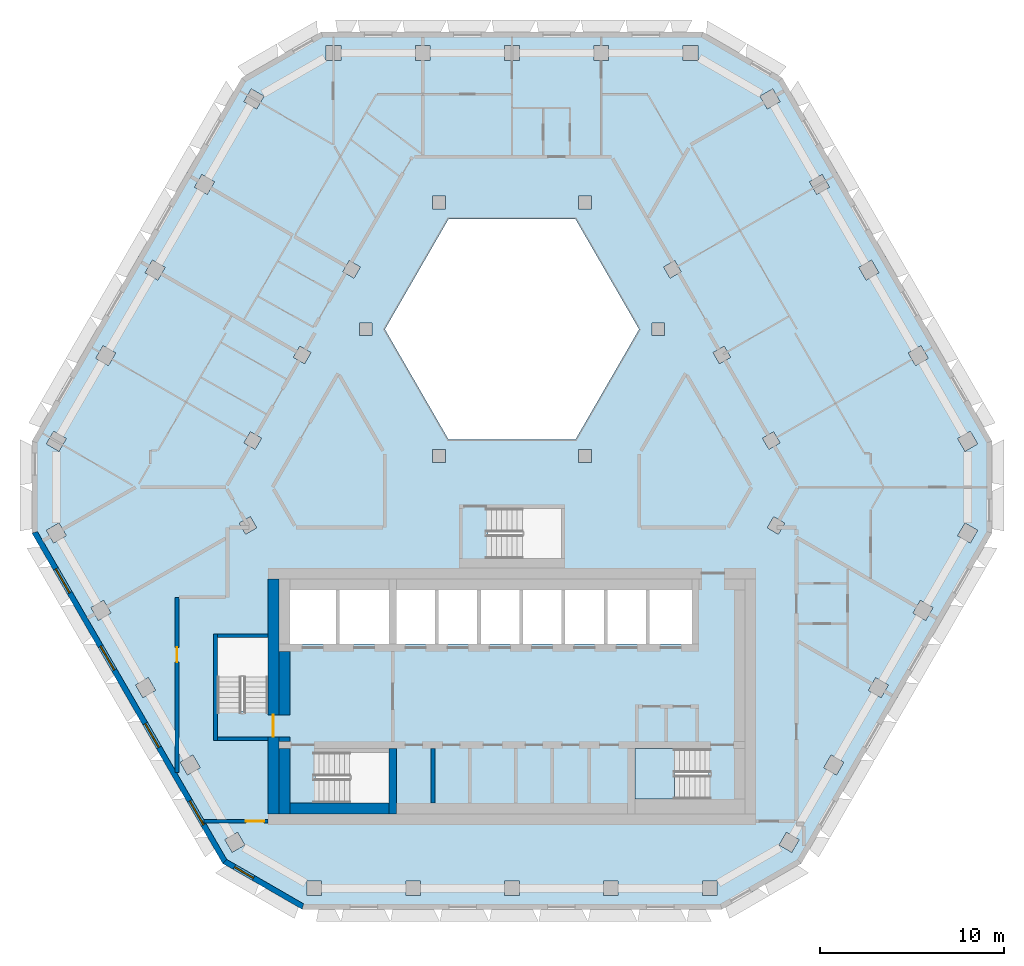
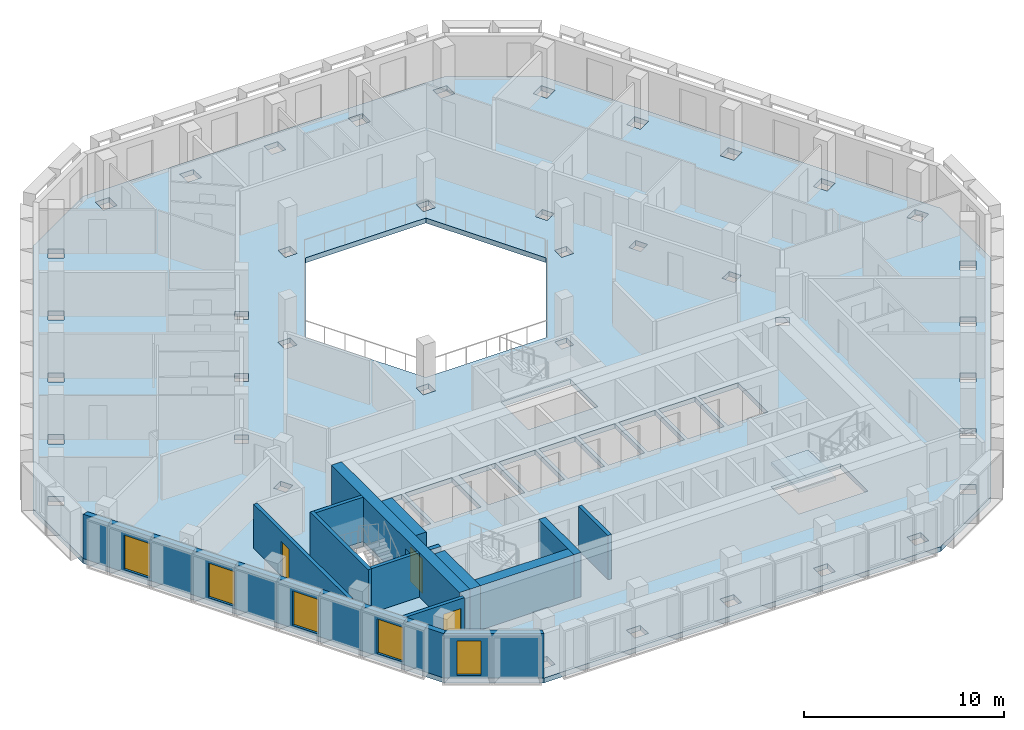
# One storey, part 2 of 15: 14 walls, 5 windows, 3 doors, 2 slabs, 8 openings, 1 element without a shape of its own.
"""IFC4 building model written with IfcOpenShell, lengths in metres."""

from ifc_helpers import new_model, si_unit, direction, frame, frame_2d, origin, place, context, subcontext, project, spatial, polyline, rectangle, outline, extrude, material, layer, layer_set, type_object, element, fill, aggregate, save


model = new_model("IFC4")

# Units and contexts
model_context = context("Model", 3, precision=1e-05, world=origin(), true_north=direction((0.0, 1.0)))
body_context = subcontext(model_context, "Body", "Model", "MODEL_VIEW")
ifc_project = project(units=[si_unit("LENGTHUNIT", "METRE"), si_unit("AREAUNIT", "SQUARE_METRE"), si_unit("VOLUMEUNIT", "CUBIC_METRE"), si_unit("PLANEANGLEUNIT", "RADIAN"), si_unit("MASSUNIT", "GRAM", prefix="KILO")], contexts=[model_context])

# Site, building, storey
site_placement = place(None, origin())
site = spatial("IfcSite", under=ifc_project, at=site_placement, CompositionType="ELEMENT")
building_placement = place(site_placement, origin())
building = spatial("IfcBuilding", under=site, at=building_placement, Name="Beryl Residences", CompositionType="ELEMENT")
storey_placement = place(building_placement, frame((0.0, 0.0, 169.199951171875)))
storey = spatial("IfcBuildingStorey", under=building, at=storey_placement, Name="L51", CompositionType="ELEMENT", Elevation=169.199951171875)

# Slab
ifc_material_1 = material(Name="Concrete C40/50", Category="concrete")
ifc_layer_1 = layer(ifc_material_1, 0.300048828125)
ifc_layer_set_1 = layer_set([ifc_layer_1], Name="SL7 PT floor slab 300 mm C40/50")
slab_type_1 = type_object("IfcSlabType", Name="SL7 PT floor slab 300 mm C40/50", PredefinedType="FLOOR", material=ifc_layer_set_1)
slab_1_placement = place(storey_placement, frame((0.0, 0.0, -0.300048828125)))
element("IfcSlab", 1, at=slab_1_placement, inside=storey, type_object=slab_type_1, Name="L51 slab 1", PredefinedType="FLOOR", context=body_context, shape_type="SweptSolid", body=[
    extrude(outline(polyline([(26.154052734375, -3.10009765625), (15.760986328125, -21.10009765625), (11.430908203125, -23.60009765625), (-11.430908203125, -23.60009765625), (-15.760986328125, -21.10009765625), (-26.154052734375, -3.10009765625), (-26.154052734375, 1.89990234375), (-14.721923828125, 21.699951171875), (-10.39208984375, 24.199951171875), (10.39208984375, 24.199951171875), (14.721923828125, 21.699951171875), (26.154052734375, 1.89990234375), (26.154052734375, -3.10009765625)]), holes=[polyline([(24.971923828125, 2.446044921875), (24.280029296875, 2.0458984375), (24.679931640625, 1.35400390625), (25.3720703125, 1.75390625), (24.971923828125, 2.446044921875)]), polyline([(24.678955078125, -2.554931640625), (24.279052734375, -3.2470703125), (24.970947265625, -3.64697265625), (25.37109375, -2.955078125), (24.678955078125, -2.554931640625)]), polyline([(22.2470703125, -6.76806640625), (21.846923828125, -7.4599609375), (22.5390625, -7.860107421875), (22.93896484375, -7.16796875), (22.2470703125, -6.76806640625)]), polyline([(22.280029296875, 7.10791015625), (21.587890625, 6.7080078125), (21.988037109375, 6.01611328125), (22.679931640625, 6.416015625), (22.280029296875, 7.10791015625)]), polyline([(19.4150390625, -11.672119140625), (20.10693359375, -12.072021484375), (20.507080078125, -11.3798828125), (19.81494140625, -10.97998046875), (19.4150390625, -11.672119140625)]), polyline([(18.89599609375, 11.37109375), (19.2958984375, 10.678955078125), (19.988037109375, 11.0791015625), (19.587890625, 11.77099609375), (18.89599609375, 11.37109375)]), polyline([(18.074951171875, -15.592041015625), (17.383056640625, -15.19189453125), (16.98291015625, -15.884033203125), (17.675048828125, -16.283935546875), (18.074951171875, -15.592041015625)]), polyline([(16.89599609375, 16.43408203125), (16.2041015625, 16.033935546875), (16.60400390625, 15.342041015625), (17.2958984375, 15.741943359375), (16.89599609375, 16.43408203125)]), polyline([(15.64306640625, -19.804931640625), (14.950927734375, -19.405029296875), (14.551025390625, -20.096923828125), (15.242919921875, -20.4970703125), (15.64306640625, -19.804931640625)]), polyline([(14.860107421875, -2.56103515625), (14.25390625, -2.2109375), (13.904052734375, -2.81689453125), (14.510009765625, -3.1669921875), (14.860107421875, -2.56103515625)]), polyline([(14.2041015625, 21.095947265625), (13.511962890625, 20.696044921875), (13.912109375, 20.00390625), (14.60400390625, 20.404052734375), (14.2041015625, 21.095947265625)]), polyline([(13.64501953125, 2.06494140625), (13.9951171875, 1.458984375), (14.60107421875, 1.80908203125), (14.2509765625, 2.4150390625), (13.64501953125, 2.06494140625)]), polyline([(11.55908203125, 7.077880859375), (10.952880859375, 6.72802734375), (11.302978515625, 6.1220703125), (11.908935546875, 6.471923828125), (11.55908203125, 7.077880859375)]), polyline([(11.1689453125, -22.050048828125), (10.368896484375, -22.050048828125), (10.368896484375, -22.85009765625), (11.1689453125, -22.85009765625), (11.1689453125, -22.050048828125)]), polyline([(6.699951171875, -14.85009765625), (6.699951171875, -17.60009765625), (10.699951171875, -17.60009765625), (10.699951171875, -14.85009765625), (6.699951171875, -14.85009765625)]), polyline([(9.327880859375, 23.449951171875), (9.327880859375, 22.64990234375), (10.1279296875, 22.64990234375), (10.1279296875, 23.449951171875), (9.327880859375, 23.449951171875)]), polyline([(7.5, -9.14990234375), (9.800048828125, -9.14990234375), (9.800048828125, -6.199951171875), (7.5, -6.199951171875), (7.5, -9.14990234375)]), polyline([(8.260986328125, 11.39111328125), (8.611083984375, 10.784912109375), (9.217041015625, 11.135009765625), (8.866943359375, 11.740966796875), (8.260986328125, 11.39111328125)]), polyline([(8.31689453125, 7.64990234375), (8.31689453125, 8.35009765625), (7.616943359375, 8.35009765625), (7.616943359375, 7.64990234375), (8.31689453125, 7.64990234375)]), polyline([(5.199951171875, -9.14990234375), (7.300048828125, -9.14990234375), (7.300048828125, -6.199951171875), (5.199951171875, -6.199951171875), (5.199951171875, -9.14990234375)]), polyline([(3.464111328125, 14.0), (-3.464111328125, 14.0), (-6.92822265625, 8.0), (-3.464111328125, 2.0), (3.464111328125, 2.0), (6.92822265625, 8.0), (3.464111328125, 14.0)]), polyline([(5.784912109375, -22.85009765625), (5.784912109375, -22.050048828125), (4.985107421875, -22.050048828125), (4.985107421875, -22.85009765625), (5.784912109375, -22.85009765625)]), polyline([(4.464111328125, 23.449951171875), (4.464111328125, 22.64990234375), (5.263916015625, 22.64990234375), (5.263916015625, 23.449951171875), (4.464111328125, 23.449951171875)]), polyline([(5.0, -9.14990234375), (5.0, -6.199951171875), (2.89990234375, -6.199951171875), (2.89990234375, -9.14990234375), (5.0, -9.14990234375)]), polyline([(4.333984375, 14.550048828125), (4.333984375, 15.25), (3.634033203125, 15.25), (3.634033203125, 14.550048828125), (4.333984375, 14.550048828125)]), polyline([(4.333984375, 1.449951171875), (3.634033203125, 1.449951171875), (3.634033203125, 0.75), (4.333984375, 0.75), (4.333984375, 1.449951171875)]), polyline([(2.699951171875, -4.5), (2.699951171875, -1.75), (-1.300048828125, -1.75), (-1.300048828125, -4.5), (2.699951171875, -4.5)]), polyline([(0.60009765625, -9.14990234375), (2.699951171875, -9.14990234375), (2.699951171875, -6.199951171875), (0.60009765625, -6.199951171875), (0.60009765625, -9.14990234375)]), polyline([(-0.39892578125, -22.050048828125), (-0.39892578125, -22.85009765625), (0.40087890625, -22.85009765625), (0.40087890625, -22.050048828125), (-0.39892578125, -22.050048828125)]), polyline([(0.39990234375, 22.64990234375), (0.39990234375, 23.449951171875), (-0.39990234375, 23.449951171875), (-0.39990234375, 22.64990234375), (0.39990234375, 22.64990234375)]), polyline([(0.39990234375, -6.199951171875), (-1.699951171875, -6.199951171875), (-1.699951171875, -9.14990234375), (0.39990234375, -9.14990234375), (0.39990234375, -6.199951171875)]), polyline([(-4.0, -9.14990234375), (-1.89990234375, -9.14990234375), (-1.89990234375, -6.199951171875), (-4.0, -6.199951171875), (-4.0, -9.14990234375)]), polyline([(-3.634033203125, 15.25), (-4.333984375, 15.25), (-4.333984375, 14.550048828125), (-3.634033203125, 14.550048828125), (-3.634033203125, 15.25)]), polyline([(-3.634033203125, 0.75), (-3.634033203125, 1.449951171875), (-4.333984375, 1.449951171875), (-4.333984375, 0.75), (-3.634033203125, 0.75)]), polyline([(-6.300048828125, -9.14990234375), (-4.199951171875, -9.14990234375), (-4.199951171875, -6.199951171875), (-6.300048828125, -6.199951171875), (-6.300048828125, -9.14990234375)]), polyline([(-5.263916015625, 23.449951171875), (-5.263916015625, 22.64990234375), (-4.464111328125, 22.64990234375), (-4.464111328125, 23.449951171875), (-5.263916015625, 23.449951171875)]), polyline([(-4.98291015625, -22.85009765625), (-4.98291015625, -22.050048828125), (-5.782958984375, -22.050048828125), (-5.782958984375, -22.85009765625), (-4.98291015625, -22.85009765625)]), polyline([(-6.699951171875, -6.199951171875), (-9.39990234375, -6.199951171875), (-9.39990234375, -9.14990234375), (-6.699951171875, -9.14990234375), (-6.699951171875, -6.199951171875)]), polyline([(-10.699951171875, -15.050048828125), (-10.699951171875, -17.800048828125), (-6.699951171875, -17.800048828125), (-6.699951171875, -15.050048828125), (-10.699951171875, -15.050048828125)]), polyline([(-7.616943359375, 7.64990234375), (-7.616943359375, 8.35009765625), (-8.31689453125, 8.35009765625), (-8.31689453125, 7.64990234375), (-7.616943359375, 7.64990234375)]), polyline([(-8.611083984375, 10.784912109375), (-8.260986328125, 11.39111328125), (-8.866943359375, 11.740966796875), (-9.217041015625, 11.135009765625), (-8.611083984375, 10.784912109375)]), polyline([(-10.1279296875, 23.449951171875), (-10.1279296875, 22.64990234375), (-9.327880859375, 22.64990234375), (-9.327880859375, 23.449951171875), (-10.1279296875, 23.449951171875)]), polyline([(-12.10009765625, -9.14990234375), (-9.60009765625, -9.14990234375), (-9.60009765625, -6.199951171875), (-12.10009765625, -6.199951171875), (-12.10009765625, -9.14990234375)]), polyline([(-11.1669921875, -22.050048828125), (-11.1669921875, -22.85009765625), (-10.366943359375, -22.85009765625), (-10.366943359375, -22.050048828125), (-11.1669921875, -22.050048828125)]), polyline([(-11.908935546875, 6.471923828125), (-11.302978515625, 6.1220703125), (-10.952880859375, 6.72802734375), (-11.55908203125, 7.077880859375), (-11.908935546875, 6.471923828125)]), polyline([(-13.300048828125, -8.800048828125), (-16.050048828125, -8.800048828125), (-16.050048828125, -12.800048828125), (-13.300048828125, -12.800048828125), (-13.300048828125, -8.800048828125)]), polyline([(-13.912109375, 20.00390625), (-13.511962890625, 20.696044921875), (-14.2041015625, 21.095947265625), (-14.60400390625, 20.404052734375), (-13.912109375, 20.00390625)]), polyline([(-13.9951171875, 1.458984375), (-13.64501953125, 2.06494140625), (-14.2509765625, 2.4150390625), (-14.60107421875, 1.80908203125), (-13.9951171875, 1.458984375)]), polyline([(-14.510986328125, -3.1650390625), (-13.905029296875, -2.81494140625), (-14.2548828125, -2.208984375), (-14.861083984375, -2.55908203125), (-14.510986328125, -3.1650390625)]), polyline([(-14.552001953125, -20.094970703125), (-14.951904296875, -19.403076171875), (-15.64404296875, -19.802978515625), (-15.243896484375, -20.4951171875), (-14.552001953125, -20.094970703125)]), polyline([(-16.60400390625, 15.342041015625), (-16.2041015625, 16.033935546875), (-16.89599609375, 16.43408203125), (-17.2958984375, 15.741943359375), (-16.60400390625, 15.342041015625)]), polyline([(-16.98388671875, -15.882080078125), (-17.384033203125, -15.18994140625), (-18.075927734375, -15.590087890625), (-17.676025390625, -16.281982421875), (-16.98388671875, -15.882080078125)]), polyline([(-18.89599609375, 11.37109375), (-19.587890625, 11.77099609375), (-19.988037109375, 11.0791015625), (-19.2958984375, 10.678955078125), (-18.89599609375, 11.37109375)]), polyline([(-20.10791015625, -12.070068359375), (-19.416015625, -11.669921875), (-19.81591796875, -10.97802734375), (-20.508056640625, -11.3779296875), (-20.10791015625, -12.070068359375)]), polyline([(-22.679931640625, 6.416015625), (-21.988037109375, 6.01611328125), (-21.587890625, 6.7080078125), (-22.280029296875, 7.10791015625), (-22.679931640625, 6.416015625)]), polyline([(-21.847900390625, -7.4580078125), (-22.248046875, -6.76611328125), (-22.93994140625, -7.166015625), (-22.5400390625, -7.85791015625), (-21.847900390625, -7.4580078125)]), polyline([(-25.3720703125, 1.75390625), (-24.679931640625, 1.35400390625), (-24.280029296875, 2.0458984375), (-24.971923828125, 2.446044921875), (-25.3720703125, 1.75390625)]), polyline([(-24.280029296875, -3.2451171875), (-24.679931640625, -2.552978515625), (-25.3720703125, -2.952880859375), (-24.971923828125, -3.64501953125), (-24.280029296875, -3.2451171875)])]), origin(), (0.0, 0.0, 1.0), 0.300048828125),
])

# Stair, slab
ifc_material_2 = material(Name="Concrete C40/50", Category="concrete")
stair_type = type_object("IfcStairType", Name="ST1 protected exit stair, half-turn, 1300 mm flights", PredefinedType="HALF_TURN_STAIR", material=ifc_material_2)
stair_placement = place(storey_placement, origin())
stair = element("IfcStair", 2, at=stair_placement, inside=storey, type_object=stair_type, Name="L51 PROTECTED EXIT STAIR ST-3", PredefinedType="HALF_TURN_STAIR")
ifc_material_3 = material(Name="Concrete C40/50", Category="concrete")
ifc_layer_2 = layer(ifc_material_3, 0.199951171875)
ifc_layer_set_2 = layer_set([ifc_layer_2], Name="SLD1 stair landing 200 mm")
slab_type_2 = type_object("IfcSlabType", Name="SLD1 stair landing 200 mm", PredefinedType="LANDING", material=ifc_layer_set_2)
slab_2_placement = place(storey_placement, frame((0.0, 0.0, 1.300048828125)))
slab_2 = element("IfcSlab", 3, at=slab_2_placement, type_object=slab_type_2, Name="ST-3 landing 1", PredefinedType="LANDING", context=body_context, shape_type="SweptSolid", body=[
    extrude(outline(polyline([(8.840087890625, -14.85009765625), (6.699951171875, -14.85009765625), (6.699951171875, -17.60009765625), (8.840087890625, -17.60009765625), (8.840087890625, -14.85009765625)])), origin(), (0.0, 0.0, 1.0), 0.199951171875),
])
aggregate(stair, [slab_2])

# Wall, openings, windows
ifc_material_4 = material(Name="Composite metal panel with mineral wool insulation")
ifc_layer_3 = layer(ifc_material_4, 0.300048828125)
ifc_layer_set_3 = layer_set([ifc_layer_3], Name="ES1 pale metal composite panel wall 300 mm")
wall_type_1 = type_object("IfcWallType", Name="ES1 pale metal composite panel wall 300 mm", PredefinedType="SOLIDWALL", material=ifc_layer_set_3)
wall_1_placement = place(storey_placement, frame((-26.02392578125, -3.02490234375, 0.0), z_axis=(0.0, 0.0, 1.0), x_axis=(0.500018670445, -0.86601462413, 0.0)))
wall_1 = element("IfcWall", 4, at=wall_1_placement, inside=storey, type_object=wall_type_1, Name="ES1 external wall L51 SW", PredefinedType="SOLIDWALL", context=body_context, shape_type="SweptSolid", body=[
    extrude(outline(polyline([(0.0, -0.14990234375), (20.784912109375, -0.14990234375), (20.70458984375, 0.14990234375), (0.080322265625, 0.14990234375), (0.0, -0.14990234375)])), origin(), (0.0, 0.0, 1.0), 2.699951171875),
])
opening_1_placement = place(wall_1_placement, frame((2.345947265625, 0.0, 0.14990234375)))
opening_1 = element("IfcOpeningElement", 5, at=opening_1_placement, cuts=wall_1, Name="Opening W1", PredefinedType="OPENING", context=body_context, shape_type="SweptSolid", body=[
    extrude(rectangle(XDim=1.5, YDim=2.10009765625, at=frame_2d((0.75, 1.050048828125))), frame((0.0, 0.159912109375, 0.0), z_axis=(0.0, -1.0, 0.0), x_axis=(1.0, 0.0, 0.0)), (0.0, 0.0, 1.0), 0.320068359375),
])
opening_2_placement = place(wall_1_placement, frame((7.2099609375, 0.0, 0.14990234375)))
opening_2 = element("IfcOpeningElement", 6, at=opening_2_placement, cuts=wall_1, Name="Opening W1", PredefinedType="OPENING", context=body_context, shape_type="SweptSolid", body=[
    extrude(rectangle(XDim=1.5, YDim=2.10009765625, at=frame_2d((0.75, 1.050048828125))), frame((0.0, 0.159912109375, 0.0), z_axis=(0.0, -1.0, 0.0), x_axis=(1.0, 0.0, 0.0)), (0.0, 0.0, 1.0), 0.320068359375),
])
opening_3_placement = place(wall_1_placement, frame((12.072998046875, 0.0, 0.14990234375)))
opening_3 = element("IfcOpeningElement", 7, at=opening_3_placement, cuts=wall_1, Name="Opening W1", PredefinedType="OPENING", context=body_context, shape_type="SweptSolid", body=[
    extrude(rectangle(XDim=1.5, YDim=2.10009765625, at=frame_2d((0.75, 1.050048828125))), frame((0.0, 0.159912109375, 0.0), z_axis=(0.0, -1.0, 0.0), x_axis=(1.0, 0.0, 0.0)), (0.0, 0.0, 1.0), 0.320068359375),
])
opening_4_placement = place(wall_1_placement, frame((16.93798828125, 0.0, 0.14990234375)))
opening_4 = element("IfcOpeningElement", 8, at=opening_4_placement, cuts=wall_1, Name="Opening W1", PredefinedType="OPENING", context=body_context, shape_type="SweptSolid", body=[
    extrude(rectangle(XDim=1.5, YDim=2.10009765625, at=frame_2d((0.75, 1.050048828125))), frame((0.0, 0.159912109375, 0.0), z_axis=(0.0, -1.0, 0.0), x_axis=(1.0, 0.0, 0.0)), (0.0, 0.0, 1.0), 0.320068359375),
])
ifc_material_5 = material(Name="Aluminium and clear glass", Category="aluminium")
window_type_1 = type_object("IfcWindowType", Name="W1 cell window 1500 x 2100 mm", PartitioningType="SINGLE_PANEL", PredefinedType="WINDOW", material=ifc_material_5)
window_1_placement = place(opening_1_placement, origin())
window_1 = element("IfcWindow", 9, at=window_1_placement, inside=storey, type_object=window_type_1, Name="W1 window L51 SW 2", OverallHeight=2.10009765625, OverallWidth=1.5, PartitioningType="SINGLE_PANEL", PredefinedType="WINDOW", context=body_context, shape_type="SweptSolid", body=[
    extrude(rectangle(XDim=1.5, YDim=2.10009765625, at=frame_2d((0.75, 1.050048828125))), frame((0.0, 0.030029296875, 0.0), z_axis=(0.0, -1.0, 0.0), x_axis=(1.0, 0.0, 0.0)), (0.0, 0.0, 1.0), 0.06005859375),
])
fill(opening_1, window_1)
window_2_placement = place(opening_2_placement, origin())
window_2 = element("IfcWindow", 10, at=window_2_placement, inside=storey, type_object=window_type_1, Name="W1 window L51 SW 4", OverallHeight=2.10009765625, OverallWidth=1.5, PartitioningType="SINGLE_PANEL", PredefinedType="WINDOW", context=body_context, shape_type="SweptSolid", body=[
    extrude(rectangle(XDim=1.5, YDim=2.10009765625, at=frame_2d((0.75, 1.050048828125))), frame((0.0, 0.030029296875, 0.0), z_axis=(0.0, -1.0, 0.0), x_axis=(1.0, 0.0, 0.0)), (0.0, 0.0, 1.0), 0.06005859375),
])
fill(opening_2, window_2)
window_3_placement = place(opening_3_placement, origin())
window_3 = element("IfcWindow", 11, at=window_3_placement, inside=storey, type_object=window_type_1, Name="W1 window L51 SW 6", OverallHeight=2.10009765625, OverallWidth=1.5, PartitioningType="SINGLE_PANEL", PredefinedType="WINDOW", context=body_context, shape_type="SweptSolid", body=[
    extrude(rectangle(XDim=1.5, YDim=2.10009765625, at=frame_2d((0.75, 1.050048828125))), frame((0.0, 0.030029296875, 0.0), z_axis=(0.0, -1.0, 0.0), x_axis=(1.0, 0.0, 0.0)), (0.0, 0.0, 1.0), 0.06005859375),
])
fill(opening_3, window_3)
window_4_placement = place(opening_4_placement, origin())
window_4 = element("IfcWindow", 12, at=window_4_placement, inside=storey, type_object=window_type_1, Name="W1 window L51 SW 8", OverallHeight=2.10009765625, OverallWidth=1.5, PartitioningType="SINGLE_PANEL", PredefinedType="WINDOW", context=body_context, shape_type="SweptSolid", body=[
    extrude(rectangle(XDim=1.5, YDim=2.10009765625, at=frame_2d((0.75, 1.050048828125))), frame((0.0, 0.030029296875, 0.0), z_axis=(0.0, -1.0, 0.0), x_axis=(1.0, 0.0, 0.0)), (0.0, 0.0, 1.0), 0.06005859375),
])
fill(opening_4, window_4)

# Wall, opening, window
wall_2_placement = place(storey_placement, frame((-15.68603515625, -20.969970703125, 0.0), z_axis=(0.0, 0.0, 1.0), x_axis=(0.866022959057, -0.500004234368, 0.0)))
wall_2 = element("IfcWall", 13, at=wall_2_placement, inside=storey, type_object=wall_type_1, Name="ES1 external wall L51 SW-S", PredefinedType="SOLIDWALL", context=body_context, shape_type="SweptSolid", body=[
    extrude(outline(polyline([(0.0, -0.14990234375), (5.0, -0.14990234375), (4.919677734375, 0.14990234375), (0.080322265625, 0.14990234375), (0.0, -0.14990234375)])), origin(), (0.0, 0.0, 1.0), 2.699951171875),
])
opening_5_placement = place(wall_2_placement, frame((0.64990234375, 0.0, 0.14990234375)))
opening_5 = element("IfcOpeningElement", 14, at=opening_5_placement, cuts=wall_2, Name="Opening W2", PredefinedType="OPENING", context=body_context, shape_type="SweptSolid", body=[
    extrude(rectangle(XDim=1.199951171875, YDim=2.10009765625, at=frame_2d((0.60009765625, 1.050048828125))), frame((0.0, 0.159912109375, 0.0), z_axis=(0.0, -1.0, 0.0), x_axis=(1.0, 0.0, 0.0)), (0.0, 0.0, 1.0), 0.320068359375),
])
ifc_material_6 = material(Name="Aluminium and clear glass", Category="aluminium")
window_type_2 = type_object("IfcWindowType", Name="W2 chamfer window 1200 x 2100 mm", PartitioningType="SINGLE_PANEL", PredefinedType="WINDOW", material=ifc_material_6)
window_5_placement = place(opening_5_placement, origin())
window_5 = element("IfcWindow", 15, at=window_5_placement, inside=storey, type_object=window_type_2, Name="W2 window L51 SW-S 1", OverallHeight=2.10009765625, OverallWidth=1.199951171875, PartitioningType="SINGLE_PANEL", PredefinedType="WINDOW", context=body_context, shape_type="SweptSolid", body=[
    extrude(rectangle(XDim=1.199951171875, YDim=2.10009765625, at=frame_2d((0.60009765625, 1.050048828125))), frame((0.0, 0.030029296875, 0.0), z_axis=(0.0, -1.0, 0.0), x_axis=(1.0, 0.0, 0.0)), (0.0, 0.0, 1.0), 0.06005859375),
])
fill(opening_5, window_5)

# Walls
ifc_material_7 = material(Name="Concrete masonry", Category="masonry")
ifc_layer_4 = layer(ifc_material_7, 0.25)
ifc_layer_set_4 = layer_set([ifc_layer_4], Name="PT13-250 lobby wall 250 mm")
wall_type_2 = type_object("IfcWallType", Name="PT13-250 lobby wall 250 mm", PredefinedType="PARTITIONING", material=ifc_layer_set_4)
wall_3_placement = place(storey_placement, frame((-12.699951171875, -14.324951171875, 0.0), z_axis=(0.0, 0.0, 1.0), x_axis=(1.0, 0.0, 0.0)))
element("IfcWall", 16, at=wall_3_placement, inside=storey, type_object=wall_type_2, Name="Lobby wall 05", PredefinedType="PARTITIONING", context=body_context, shape_type="SweptSolid", body=[
    extrude(rectangle(XDim=0.599853515625, YDim=0.25, at=frame_2d((0.2998046875, 0.0))), origin(), (0.0, 0.0, 1.0), 2.699951171875),
])
ifc_material_8 = material(Name="Concrete masonry", Category="masonry")
ifc_layer_5 = layer(ifc_material_8, 0.60009765625)
ifc_layer_set_5 = layer_set([ifc_layer_5], Name="PT13-600 lobby wall 600 mm")
wall_type_3 = type_object("IfcWallType", Name="PT13-600 lobby wall 600 mm", PredefinedType="PARTITIONING", material=ifc_layer_set_5)
wall_4_placement = place(storey_placement, frame((-12.39990234375, -13.0, 0.0), z_axis=(0.0, 0.0, 1.0), x_axis=(0.0, 1.0, 0.0)))
element("IfcWall", 17, at=wall_4_placement, inside=storey, type_object=wall_type_3, Name="Lobby wall 06", PredefinedType="PARTITIONING", context=body_context, shape_type="SweptSolid", body=[
    extrude(rectangle(XDim=3.449951171875, YDim=0.60009765625, at=frame_2d((1.72509765625, 0.0))), origin(), (0.0, 0.0, 1.0), 2.699951171875),
])

# Wall, opening, door
ifc_material_9 = material(Name="Double stud gypsum board wall")
ifc_layer_6 = layer(ifc_material_9, 0.199951171875)
ifc_layer_set_6 = layer_set([ifc_layer_6], Name="PT4 corridor wall 200 mm double stud")
wall_type_4 = type_object("IfcWallType", Name="PT4 corridor wall 200 mm double stud", PredefinedType="PARTITIONING", material=ifc_layer_set_6)
wall_5_placement = place(storey_placement, frame((-18.25, -16.152099609375, 0.0), z_axis=(0.0, 0.0, 1.0), x_axis=(0.0, 1.0, 0.0)))
wall_5 = element("IfcWall", 18, at=wall_5_placement, inside=storey, type_object=wall_type_4, Name="Wall PT4 L51 025", PredefinedType="PARTITIONING", context=body_context, shape_type="SweptSolid", body=[
    extrude(rectangle(XDim=9.551025390625, YDim=0.199951171875, at=frame_2d((4.775390625, 0.0))), origin(), (0.0, 0.0, 1.0), 2.699951171875),
])
opening_6_placement = place(wall_5_placement, frame((6.02587890625, 0.0, 0.0)))
opening_6 = element("IfcOpeningElement", 19, at=opening_6_placement, cuts=wall_5, Name="Opening D1609", PredefinedType="OPENING", context=body_context, shape_type="SweptSolid", body=[
    extrude(rectangle(XDim=0.800048828125, YDim=2.10009765625, at=frame_2d((0.39990234375, 1.050048828125))), frame((0.0, 0.10986328125, 0.0), z_axis=(0.0, -1.0, 0.0), x_axis=(1.0, 0.0, 0.0)), (0.0, 0.0, 1.0), 0.219970703125),
])
ifc_material_10 = material(Name="Timber door leaf", Category="wood")
door_type_1 = type_object("IfcDoorType", Name="D3 bathroom door 800 x 2100 mm", OperationType="SINGLE_SWING_LEFT", PredefinedType="DOOR", material=ifc_material_10)
door_1_placement = place(opening_6_placement, origin())
door_1 = element("IfcDoor", 20, at=door_1_placement, inside=storey, type_object=door_type_1, Name="Door D1609 L51 001", OperationType="SINGLE_SWING_LEFT", OverallHeight=2.10009765625, OverallWidth=0.800048828125, PredefinedType="DOOR", context=body_context, shape_type="SweptSolid", body=[
    extrude(rectangle(XDim=0.800048828125, YDim=2.10009765625, at=frame_2d((0.39990234375, 1.050048828125))), frame((0.0, 0.02490234375, 0.0), z_axis=(0.0, -1.0, 0.0), x_axis=(1.0, 0.0, 0.0)), (0.0, 0.0, 1.0), 0.050048828125),
])
fill(opening_6, door_1)

wall_6_placement = place(storey_placement, frame((-16.7919921875, -18.800048828125, 0.0), z_axis=(0.0, 0.0, 1.0), x_axis=(1.0, 0.0, 0.0)))
wall_6 = element("IfcWall", 21, at=wall_6_placement, inside=storey, type_object=wall_type_4, Name="Wall PT4 L51 026", PredefinedType="PARTITIONING", context=body_context, shape_type="SweptSolid", body=[
    extrude(rectangle(XDim=3.491943359375, YDim=0.199951171875, at=frame_2d((1.74609375, 0.0))), origin(), (0.0, 0.0, 1.0), 2.699951171875),
])
opening_7_placement = place(wall_6_placement, frame((2.2919921875, 0.0, 0.0)))
opening_7 = element("IfcOpeningElement", 22, at=opening_7_placement, cuts=wall_6, Name="Opening D1645", PredefinedType="OPENING", context=body_context, shape_type="SweptSolid", body=[
    extrude(rectangle(XDim=1.0, YDim=2.10009765625, at=frame_2d((0.5, 1.050048828125))), frame((0.0, 0.10986328125, 0.0), z_axis=(0.0, -1.0, 0.0), x_axis=(1.0, 0.0, 0.0)), (0.0, 0.0, 1.0), 0.219970703125),
])
ifc_material_11 = material(Name="Timber door leaf", Category="wood")
door_type_2 = type_object("IfcDoorType", Name="D1 flat entrance door 1000 x 2100 mm", OperationType="SINGLE_SWING_LEFT", PredefinedType="DOOR", material=ifc_material_11)
door_2_placement = place(opening_7_placement, origin())
door_2 = element("IfcDoor", 23, at=door_2_placement, inside=storey, type_object=door_type_2, Name="Door D1645 L51 001", OperationType="SINGLE_SWING_RIGHT", OverallHeight=2.10009765625, OverallWidth=1.0, PredefinedType="DOOR", context=body_context, shape_type="SweptSolid", body=[
    extrude(rectangle(XDim=1.0, YDim=2.10009765625, at=frame_2d((0.5, 1.050048828125))), frame((0.0, 0.02490234375, 0.0), z_axis=(0.0, -1.0, 0.0), x_axis=(1.0, 0.0, 0.0)), (0.0, 0.0, 1.0), 0.050048828125),
])
fill(opening_7, door_2)

# Walls
ifc_material_12 = material(Name="Concrete C40/50", Category="concrete")
ifc_layer_7 = layer(ifc_material_12, 0.199951171875)
ifc_layer_set_7 = layer_set([ifc_layer_7], Name="PT5 stair enclosure wall 200 mm reinforced concrete C40/50")
wall_type_5 = type_object("IfcWallType", Name="PT5 stair enclosure wall 200 mm reinforced concrete C40/50", PredefinedType="SOLIDWALL", material=ifc_layer_set_7)
wall_7_placement = place(storey_placement, frame((-16.14990234375, -14.39990234375, 0.0), z_axis=(0.0, 0.0, 1.0), x_axis=(0.0, 1.0, 0.0)))
element("IfcWall", 24, at=wall_7_placement, inside=storey, type_object=wall_type_5, Name="Stair wall 01", PredefinedType="SOLIDWALL", context=body_context, shape_type="SweptSolid", body=[
    extrude(rectangle(XDim=5.7998046875, YDim=0.199951171875, at=frame_2d((2.89990234375, 0.0))), origin(), (0.0, 0.0, 1.0), 2.699951171875),
])
for number, where, z_axis, x_axis, name in (
    (25, (-16.050048828125, -14.300048828125, 0.0), (0.0, 0.0, 1.0), (1.0, 0.0, 0.0), "Stair wall 02"),
    (26, (-16.050048828125, -8.699951171875, 0.0), (0.0, 0.0, 1.0), (1.0, 0.0, 0.0), "Stair wall 03"),
):
    element("IfcWall", number, at=place(storey_placement, frame(where, z_axis=z_axis, x_axis=x_axis)), inside=storey, type_object=wall_type_5, Name=name, PredefinedType="SOLIDWALL", context=body_context, shape_type="SweptSolid", body=[
        extrude(rectangle(XDim=2.75, YDim=0.199951171875, at=frame_2d((1.375, 0.0))), origin(), (0.0, 0.0, 1.0), 2.699951171875),
    ])
ifc_material_13 = material(Name="Concrete C40/50", Category="concrete")
ifc_layer_8 = layer(ifc_material_13, 0.60009765625)
ifc_layer_set_8 = layer_set([ifc_layer_8], Name="PT5-600 stair enclosure wall 600 mm")
wall_type_6 = type_object("IfcWallType", Name="PT5-600 stair enclosure wall 600 mm", PredefinedType="SOLIDWALL", material=ifc_layer_set_8)
wall_8_placement = place(storey_placement, frame((-12.39990234375, -18.39990234375, 0.0), z_axis=(0.0, 0.0, 1.0), x_axis=(0.0, 1.0, 0.0)))
element("IfcWall", 27, at=wall_8_placement, inside=storey, type_object=wall_type_6, Name="Stair wall 04", PredefinedType="SOLIDWALL", context=body_context, shape_type="SweptSolid", body=[
    extrude(rectangle(XDim=3.5498046875, YDim=0.60009765625, at=frame_2d((1.77490234375, 0.0))), origin(), (0.0, 0.0, 1.0), 2.699951171875),
])
wall_9_placement = place(storey_placement, frame((-12.10009765625, -18.10009765625, 0.0), z_axis=(0.0, 0.0, 1.0), x_axis=(1.0, 0.0, 0.0)))
element("IfcWall", 28, at=wall_9_placement, inside=storey, type_object=wall_type_6, Name="Stair wall 08", PredefinedType="SOLIDWALL", context=body_context, shape_type="SweptSolid", body=[
    extrude(rectangle(XDim=5.400146484375, YDim=0.60009765625, at=frame_2d((2.7001953125, 0.0))), origin(), (0.0, 0.0, 1.0), 2.699951171875),
])
ifc_material_14 = material(Name="Concrete masonry", Category="masonry")
ifc_layer_9 = layer(ifc_material_14, 0.199951171875)
ifc_layer_set_9 = layer_set([ifc_layer_9], Name="PT8-200 service room wall 200 mm")
wall_type_7 = type_object("IfcWallType", Name="PT8-200 service room wall 200 mm", PredefinedType="PARTITIONING", material=ifc_layer_set_9)
wall_10_placement = place(storey_placement, frame((-4.300048828125, -17.800048828125, 0.0), z_axis=(0.0, 0.0, 1.0), x_axis=(0.0, 1.0, 0.0)))
element("IfcWall", 29, at=wall_10_placement, inside=storey, type_object=wall_type_7, Name="Core room wall 15", PredefinedType="PARTITIONING", context=body_context, shape_type="SweptSolid", body=[
    extrude(rectangle(XDim=2.949951171875, YDim=0.199951171875, at=frame_2d((1.47509765625, 0.0))), origin(), (0.0, 0.0, 1.0), 2.699951171875),
])

# Wall, opening, door
ifc_material_15 = material(Name="Concrete C50/60", Category="concrete")
ifc_layer_10 = layer(ifc_material_15, 0.60009765625)
ifc_layer_set_10 = layer_set([ifc_layer_10], Name="SW4 core outer wall 600 mm C50/60")
wall_type_8 = type_object("IfcWallType", Name="SW4 core outer wall 600 mm C50/60", PredefinedType="SHEAR", material=ifc_layer_set_10)
wall_11_placement = place(storey_placement, frame((-13.0, -18.39990234375, 0.0), z_axis=(0.0, 0.0, 1.0), x_axis=(0.0, 1.0, 0.0)))
wall_11 = element("IfcWall", 30, at=wall_11_placement, inside=storey, type_object=wall_type_8, Name="Core wall W L51", PredefinedType="SHEAR", context=body_context, shape_type="SweptSolid", body=[
    extrude(rectangle(XDim=12.7998046875, YDim=0.60009765625, at=frame_2d((6.39990234375, 0.0))), origin(), (0.0, 0.0, 1.0), 2.699951171875),
])
opening_8_placement = place(wall_11_placement, frame((4.199951171875, 0.0, 0.0)))
opening_8 = element("IfcOpeningElement", 31, at=opening_8_placement, cuts=wall_11, Name="Opening SD-2", PredefinedType="OPENING", context=body_context, shape_type="SweptSolid", body=[
    extrude(rectangle(XDim=1.199951171875, YDim=2.10009765625, at=frame_2d((0.60009765625, 1.050048828125))), frame((0.0, 0.31005859375, 0.0), z_axis=(0.0, -1.0, 0.0), x_axis=(1.0, 0.0, 0.0)), (0.0, 0.0, 1.0), 0.6201171875),
])
ifc_material_16 = material(Name="Steel door leaf in steel frame", Category="steel")
door_type_3 = type_object("IfcDoorType", Name="D4 stair door 1200 x 2100 mm", OperationType="SINGLE_SWING_LEFT", PredefinedType="DOOR", material=ifc_material_16)
door_3_placement = place(opening_8_placement, origin())
door_3 = element("IfcDoor", 32, at=door_3_placement, inside=storey, type_object=door_type_3, Name="Door SD-2 L51 001", OperationType="SINGLE_SWING_RIGHT", OverallHeight=2.10009765625, OverallWidth=1.199951171875, PredefinedType="DOOR", context=body_context, shape_type="SweptSolid", body=[
    extrude(rectangle(XDim=1.199951171875, YDim=2.10009765625, at=frame_2d((0.60009765625, 1.050048828125))), frame((0.0, 0.02490234375, 0.0), z_axis=(0.0, -1.0, 0.0), x_axis=(1.0, 0.0, 0.0)), (0.0, 0.0, 1.0), 0.050048828125),
])
fill(opening_8, door_3)

# Wall
ifc_material_17 = material(Name="Concrete C50/60", Category="concrete")
ifc_layer_11 = layer(ifc_material_17, 0.39990234375)
ifc_layer_set_11 = layer_set([ifc_layer_11], Name="SW9 core internal wall 400 mm C50/60")
wall_type_9 = type_object("IfcWallType", Name="SW9 core internal wall 400 mm C50/60", PredefinedType="SHEAR", material=ifc_layer_set_11)
wall_12_placement = place(storey_placement, frame((-6.5, -18.39990234375, 0.0), z_axis=(0.0, 0.0, 1.0), x_axis=(0.0, 1.0, 0.0)))
element("IfcWall", 33, at=wall_12_placement, inside=storey, type_object=wall_type_9, Name="Core wall XS1 L51", PredefinedType="SHEAR", context=body_context, shape_type="SweptSolid", body=[
    extrude(rectangle(XDim=3.5498046875, YDim=0.39990234375, at=frame_2d((1.77490234375, 0.0))), origin(), (0.0, 0.0, 1.0), 2.699951171875),
])

save(model, "model.ifc")
